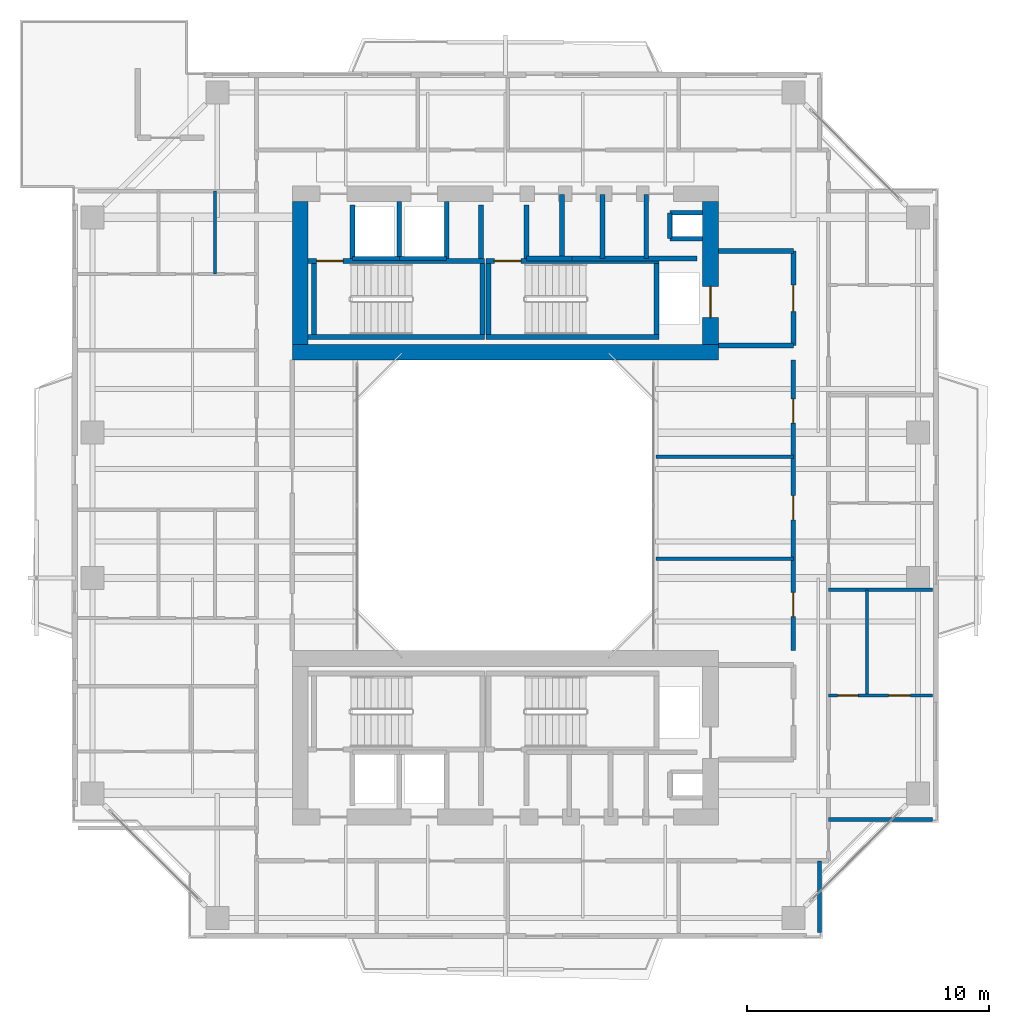
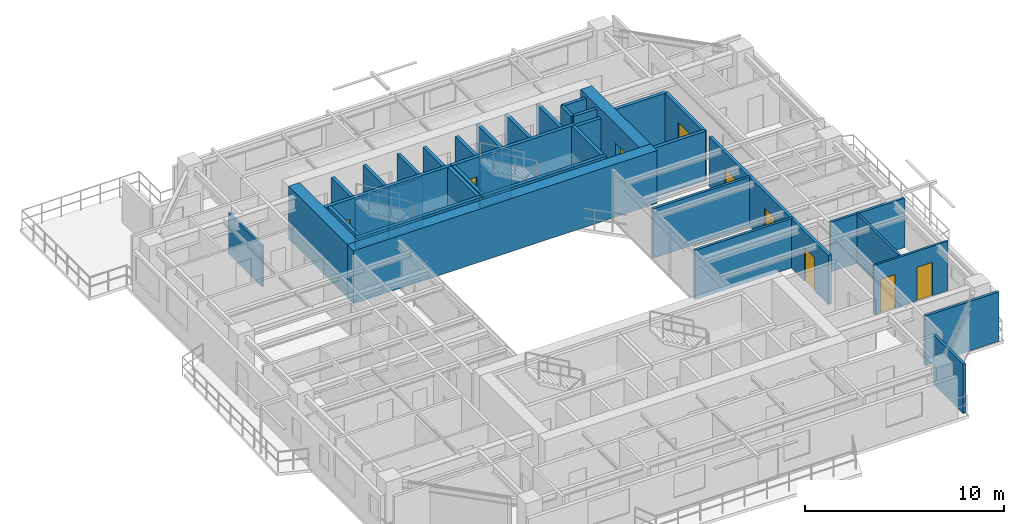
# One storey, part 12 of 18: 38 walls, 9 doors, 9 openings.
"""IFC4 building model written with IfcOpenShell, lengths in metres."""

from ifc_helpers import new_model, si_unit, direction, frame, frame_2d, origin, place, context, subcontext, project, spatial, rectangle, extrude, source, transform, mapped, material, layer, layer_set, type_object, element, fill, save


model = new_model("IFC4")

# Units and contexts
model_context = context("Model", 3, precision=1e-05, world=origin(), true_north=direction((0.0, 1.0)))
body_context = subcontext(model_context, "Body", "Model", "MODEL_VIEW")
ifc_project = project(units=[si_unit("LENGTHUNIT", "METRE"), si_unit("AREAUNIT", "SQUARE_METRE"), si_unit("VOLUMEUNIT", "CUBIC_METRE"), si_unit("PLANEANGLEUNIT", "RADIAN"), si_unit("MASSUNIT", "GRAM", prefix="KILO"), si_unit("THERMODYNAMICTEMPERATUREUNIT", "KELVIN"), si_unit("POWERUNIT", "WATT")], contexts=[model_context])

# Site, building, storey
site_placement = place(None, origin())
site = spatial("IfcSite", under=ifc_project, at=site_placement, CompositionType="ELEMENT")
building_placement = place(site_placement, origin())
building = spatial("IfcBuilding", under=site, at=building_placement, Name="Qiaomeng Ring Towers", CompositionType="ELEMENT")
storey_placement = place(building_placement, frame((0.0, 0.0, 182.75)))
storey = spatial("IfcBuildingStorey", under=building, at=storey_placement, Name="L53", CompositionType="ELEMENT", Elevation=182.75)

# Walls
ifc_material_1 = material(Name="Autoclaved aerated concrete block", Category="concrete")
ifc_layer_1 = layer(ifc_material_1, 0.199951171875, Name="Autoclaved aerated concrete block")
ifc_layer_set_1 = layer_set([ifc_layer_1], Name="Autoclaved aerated concrete block")
wall_type_1 = type_object("IfcWallType", Name="ARC-WL-PW1", PredefinedType="PARTITIONING", material=ifc_layer_set_1)
for number, where, z_axis, x_axis, name in (
    (1, (27.800048828125, 29.60009765625, 0.0), (0.0, 0.0, 1.0), (1.0, 0.0, 0.0), "L53 Interior Wall PW1"),
    (2, (27.800048828125, 33.5, 0.0), (0.0, 0.0, 1.0), (1.0, 0.0, 0.0), "L53 Interior Wall PW1"),
):
    element("IfcWall", number, at=place(storey_placement, frame(where, z_axis=z_axis, x_axis=x_axis)), inside=storey, type_object=wall_type_1, Name=name, PredefinedType="PARTITIONING", context=body_context, shape_type="SweptSolid", body=[
        extrude(rectangle(XDim=3.099853515625, YDim=0.199951171875, at=frame_2d((1.5498046875, 0.0))), origin(), (0.0, 0.0, 1.0), 3.030029296875),
    ])

# Wall, opening, door
wall_1_placement = place(storey_placement, frame((30.89990234375, 29.60009765625, 0.0), z_axis=(0.0, 0.0, 1.0), x_axis=(0.0, 1.0, 0.0)))
wall_1 = element("IfcWall", 3, at=wall_1_placement, inside=storey, type_object=wall_type_1, Name="L53 Interior Wall PW1", PredefinedType="PARTITIONING", context=body_context, shape_type="SweptSolid", body=[
    extrude(rectangle(XDim=3.89990234375, YDim=0.199951171875, at=frame_2d((1.949951171875, 0.0))), origin(), (0.0, 0.0, 1.0), 3.030029296875),
])
opening_1_placement = place(wall_1_placement, frame((1.39990234375, 0.0, 0.0)))
opening_1 = element("IfcOpeningElement", 4, at=opening_1_placement, cuts=wall_1, Name="Opening FD3", PredefinedType="OPENING", context=body_context, shape_type="SweptSolid", body=[
    extrude(rectangle(XDim=1.10009765625, YDim=2.050048828125, at=frame_2d((0.550048828125, 1.02490234375))), frame((0.0, 0.10986328125, 0.0), z_axis=(0.0, -1.0, 0.0), x_axis=(1.0, 0.0, 0.0)), (0.0, 0.0, 1.0), 0.219970703125),
])
ifc_material_2 = material(Name="Galvanised steel", Category="steel")
door_type_1 = type_object("IfcDoorType", Name="ARC-DR-FD3", OperationType="NOTDEFINED", PredefinedType="DOOR", material=ifc_material_2)
shared_shape_1 = source(origin(), body_context, "Body", "SweptSolid", [
    extrude(rectangle(XDim=1.10009765625, YDim=2.050048828125, at=frame_2d((0.550048828125, 1.02490234375))), frame((0.0, 0.02490234375, 0.0), z_axis=(0.0, -1.0, 0.0), x_axis=(1.0, 0.0, 0.0)), (0.0, 0.0, 1.0), 0.050048828125),
])
door_1_placement = place(opening_1_placement, origin())
door_1 = element("IfcDoor", 5, at=door_1_placement, inside=storey, type_object=door_type_1, Name="L53 North FF Lobby Door", OperationType="SINGLE_SWING_LEFT", OverallHeight=2.050048828125, OverallWidth=1.10009765625, PredefinedType="DOOR", context=body_context, shape_type="MappedRepresentation", body=[
    mapped(shared_shape_1, transform((0.0, 0.0, 0.0), x_axis=(1.0, 0.0, 0.0), y_axis=(0.0, 1.0, 0.0), z_axis=(0.0, 0.0, 1.0), scale=1.0)),
])
fill(opening_1, door_1)

# Walls
for number, where, z_axis, x_axis, name in (
    (6, (12.679931640625, 33.18994140625, 0.0), (0.0, 0.0, 1.0), (0.0, 1.0, 0.0), "L53 Interior Wall PW1"),
    (7, (18.0, 33.18994140625, 0.0), (0.0, 0.0, 1.0), (0.0, 1.0, 0.0), "L53 Interior Wall PW1"),
    (8, (19.8798828125, 33.18994140625, 0.0), (0.0, 0.0, 1.0), (0.0, 1.0, 0.0), "L53 Interior Wall PW1"),
):
    element("IfcWall", number, at=place(storey_placement, frame(where, z_axis=z_axis, x_axis=x_axis)), inside=storey, type_object=wall_type_1, Name=name, PredefinedType="PARTITIONING", context=body_context, shape_type="SweptSolid", body=[
        extrude(rectangle(XDim=2.2099609375, YDim=0.199951171875, at=frame_2d((1.10498046875, 0.0))), origin(), (0.0, 0.0, 1.0), 3.030029296875),
    ])
wall_2_placement = place(storey_placement, frame((24.820068359375, 33.199951171875, 0.0), z_axis=(0.0, 0.0, 1.0), x_axis=(0.0, 1.0, 0.0)))
element("IfcWall", 9, at=wall_2_placement, inside=storey, type_object=wall_type_1, Name="L53 Interior Wall PW1", PredefinedType="PARTITIONING", context=body_context, shape_type="SweptSolid", body=[
    extrude(rectangle(XDim=2.650146484375, YDim=0.199951171875, at=frame_2d((1.3251953125, 0.0))), origin(), (0.0, 0.0, 1.0), 3.030029296875),
])
wall_3_placement = place(storey_placement, frame((19.8798828125, 33.199951171875, 0.0), z_axis=(0.0, 0.0, 1.0), x_axis=(1.0, 0.0, 0.0)))
element("IfcWall", 10, at=wall_3_placement, inside=storey, type_object=wall_type_1, Name="L53 Interior Wall PW1", PredefinedType="PARTITIONING", context=body_context, shape_type="SweptSolid", body=[
    extrude(rectangle(XDim=1.8701171875, YDim=0.199951171875, at=frame_2d((0.93505859375, 0.0))), origin(), (0.0, 0.0, 1.0), 3.030029296875),
])
for number, where, z_axis, x_axis, name in (
    (11, (21.340087890625, 33.199951171875, 0.0), (0.0, 0.0, 1.0), (0.0, 1.0, 0.0), "L53 Interior Wall PW1"),
    (12, (23.010009765625, 33.199951171875, 0.0), (0.0, 0.0, 1.0), (0.0, 1.0, 0.0), "L53 Interior Wall PW1"),
):
    element("IfcWall", number, at=place(storey_placement, frame(where, z_axis=z_axis, x_axis=x_axis)), inside=storey, type_object=wall_type_1, Name=name, PredefinedType="PARTITIONING", context=body_context, shape_type="SweptSolid", body=[
        extrude(rectangle(XDim=2.650146484375, YDim=0.199951171875, at=frame_2d((1.3251953125, 0.0))), origin(), (0.0, 0.0, 1.0), 3.030029296875),
    ])
wall_4_placement = place(storey_placement, frame((21.75, 33.199951171875, 0.0), z_axis=(0.0, 0.0, 1.0), x_axis=(1.0, 0.0, 0.0)))
element("IfcWall", 13, at=wall_4_placement, inside=storey, type_object=wall_type_1, Name="L53 Interior Wall PW1", PredefinedType="PARTITIONING", context=body_context, shape_type="SweptSolid", body=[
    extrude(rectangle(XDim=5.169921875, YDim=0.199951171875, at=frame_2d((2.5849609375, 0.0))), origin(), (0.0, 0.0, 1.0), 3.030029296875),
])

# Wall, openings, doors
ifc_layer_2 = layer(ifc_material_1, 0.179931640625, Name="Autoclaved aerated concrete block")
ifc_layer_set_2 = layer_set([ifc_layer_2], Name="Autoclaved aerated concrete block")
wall_type_2 = type_object("IfcWallType", Name="ARC-WL-PW2", PredefinedType="PARTITIONING", material=ifc_layer_set_2)
wall_5_placement = place(storey_placement, frame((30.89990234375, 17.0, 0.0), z_axis=(0.0, 0.0, 1.0), x_axis=(0.0, 1.0, 0.0)))
wall_5 = element("IfcWall", 14, at=wall_5_placement, inside=storey, type_object=wall_type_2, Name="L53 Interior Wall PW2", PredefinedType="PARTITIONING", context=body_context, shape_type="SweptSolid", body=[
    extrude(rectangle(XDim=12.0, YDim=0.179931640625, at=frame_2d((6.0, 0.0))), origin(), (0.0, 0.0, 1.0), 3.030029296875),
])
opening_2_placement = place(wall_5_placement, frame((1.39990234375, 0.0, 0.0)))
opening_2 = element("IfcOpeningElement", 15, at=opening_2_placement, cuts=wall_5, Name="Opening FD4", PredefinedType="OPENING", context=body_context, shape_type="SweptSolid", body=[
    extrude(rectangle(XDim=1.0, YDim=2.050048828125, at=frame_2d((0.5, 1.02490234375))), frame((0.0, 0.099853515625, 0.0), z_axis=(0.0, -1.0, 0.0), x_axis=(1.0, 0.0, 0.0)), (0.0, 0.0, 1.0), 0.199951171875),
])
opening_3_placement = place(wall_5_placement, frame((5.39990234375, 0.0, 0.0)))
opening_3 = element("IfcOpeningElement", 16, at=opening_3_placement, cuts=wall_5, Name="Opening FD4", PredefinedType="OPENING", context=body_context, shape_type="SweptSolid", body=[
    extrude(rectangle(XDim=1.0, YDim=2.050048828125, at=frame_2d((0.5, 1.02490234375))), frame((0.0, 0.099853515625, 0.0), z_axis=(0.0, -1.0, 0.0), x_axis=(1.0, 0.0, 0.0)), (0.0, 0.0, 1.0), 0.199951171875),
])
opening_4_placement = place(wall_5_placement, frame((9.39990234375, 0.0, 0.0)))
opening_4 = element("IfcOpeningElement", 17, at=opening_4_placement, cuts=wall_5, Name="Opening FD4", PredefinedType="OPENING", context=body_context, shape_type="SweptSolid", body=[
    extrude(rectangle(XDim=1.0, YDim=2.050048828125, at=frame_2d((0.5, 1.02490234375))), frame((0.0, 0.099853515625, 0.0), z_axis=(0.0, -1.0, 0.0), x_axis=(1.0, 0.0, 0.0)), (0.0, 0.0, 1.0), 0.199951171875),
])
ifc_material_3 = material(Name="Engineered fire-rated oak timber", Category="wood")
door_type_2 = type_object("IfcDoorType", Name="ARC-DR-FD4", OperationType="NOTDEFINED", PredefinedType="DOOR", material=ifc_material_3)
shared_shape_2 = source(origin(), body_context, "Body", "SweptSolid", [
    extrude(rectangle(XDim=1.0, YDim=2.050048828125, at=frame_2d((0.5, 1.02490234375))), frame((0.0, 0.02490234375, 0.0), z_axis=(0.0, -1.0, 0.0), x_axis=(1.0, 0.0, 0.0)), (0.0, 0.0, 1.0), 0.050048828125),
])
door_2_placement = place(opening_2_placement, origin())
door_2 = element("IfcDoor", 18, at=door_2_placement, inside=storey, type_object=door_type_2, Name="L53 Door FD4", OperationType="SINGLE_SWING_RIGHT", OverallHeight=2.050048828125, OverallWidth=1.0, PredefinedType="DOOR", context=body_context, shape_type="MappedRepresentation", body=[
    mapped(shared_shape_2, transform((0.0, 0.0, 0.0), x_axis=(1.0, 0.0, 0.0), y_axis=(0.0, 1.0, 0.0), z_axis=(0.0, 0.0, 1.0), scale=1.0)),
])
fill(opening_2, door_2)
door_3_placement = place(opening_3_placement, origin())
door_3 = element("IfcDoor", 19, at=door_3_placement, inside=storey, type_object=door_type_2, Name="L53 Door FD4", OperationType="SINGLE_SWING_LEFT", OverallHeight=2.050048828125, OverallWidth=1.0, PredefinedType="DOOR", context=body_context, shape_type="MappedRepresentation", body=[
    mapped(shared_shape_2, transform((0.0, 0.0, 0.0), x_axis=(1.0, 0.0, 0.0), y_axis=(0.0, 1.0, 0.0), z_axis=(0.0, 0.0, 1.0), scale=1.0)),
])
fill(opening_3, door_3)
door_4_placement = place(opening_4_placement, origin())
door_4 = element("IfcDoor", 20, at=door_4_placement, inside=storey, type_object=door_type_2, Name="L53 Door FD4", OperationType="SINGLE_SWING_RIGHT", OverallHeight=2.050048828125, OverallWidth=1.0, PredefinedType="DOOR", context=body_context, shape_type="MappedRepresentation", body=[
    mapped(shared_shape_2, transform((0.0, 0.0, 0.0), x_axis=(1.0, 0.0, 0.0), y_axis=(0.0, 1.0, 0.0), z_axis=(0.0, 0.0, 1.0), scale=1.0)),
])
fill(opening_4, door_4)

# Walls
ifc_material_4 = material(Name="Gypsum fireboard steel-stud partition", Category="steel")
ifc_layer_3 = layer(ifc_material_4, 0.14990234375, Name="Gypsum fireboard steel-stud partition")
ifc_layer_set_3 = layer_set([ifc_layer_3], Name="Gypsum fireboard steel-stud partition")
wall_type_3 = type_object("IfcWallType", Name="ARC-WL-PW3", PredefinedType="PARTITIONING", material=ifc_layer_set_3)
wall_6_placement = place(storey_placement, frame((31.97998046875, 5.35009765625, 0.0), z_axis=(0.0, 0.0, 1.0), x_axis=(0.0, 1.0, 0.0)))
element("IfcWall", 21, at=wall_6_placement, inside=storey, type_object=wall_type_3, Name="L53 Interior Wall PW3", PredefinedType="PARTITIONING", context=body_context, shape_type="SweptSolid", body=[
    extrude(rectangle(XDim=2.9599609375, YDim=0.14990234375, at=frame_2d((1.47998046875, 0.0))), origin(), (0.0, 0.0, 1.0), 3.030029296875),
])
for number, where, z_axis, x_axis, name in (
    (22, (32.35009765625, 10.02001953125, 0.0), (0.0, 0.0, 1.0), (1.0, 0.0, 0.0), "L53 Interior Wall PW3"),
    (23, (32.35009765625, 19.510009765625, 0.0), (0.0, 0.0, 1.0), (1.0, 0.0, 0.0), "L53 Interior Wall PW3"),
):
    element("IfcWall", number, at=place(storey_placement, frame(where, z_axis=z_axis, x_axis=x_axis)), inside=storey, type_object=wall_type_3, Name=name, PredefinedType="PARTITIONING", context=body_context, shape_type="SweptSolid", body=[
        extrude(rectangle(XDim=4.2998046875, YDim=0.14990234375, at=frame_2d((2.14990234375, 0.0))), origin(), (0.0, 0.0, 1.0), 3.030029296875),
    ])
for number, where, z_axis, x_axis, name in (
    (24, (25.219970703125, 20.800048828125, 0.0), (0.0, 0.0, 1.0), (1.0, 0.0, 0.0), "L53 Interior Wall PW3"),
    (25, (25.219970703125, 25.0, 0.0), (0.0, 0.0, 1.0), (1.0, 0.0, 0.0), "L53 Interior Wall PW3"),
):
    element("IfcWall", number, at=place(storey_placement, frame(where, z_axis=z_axis, x_axis=x_axis)), inside=storey, type_object=wall_type_3, Name=name, PredefinedType="PARTITIONING", context=body_context, shape_type="SweptSolid", body=[
        extrude(rectangle(XDim=5.679931640625, YDim=0.14990234375, at=frame_2d((2.83984375, 0.0))), origin(), (0.0, 0.0, 1.0), 3.030029296875),
    ])
ifc_material_5 = material(Name="Moisture-resistant gypsum steel-stud partition", Category="steel")
ifc_layer_4 = layer(ifc_material_5, 0.1201171875, Name="Moisture-resistant gypsum steel-stud partition")
ifc_layer_set_4 = layer_set([ifc_layer_4], Name="Moisture-resistant gypsum steel-stud partition")
wall_type_4 = type_object("IfcWallType", Name="ARC-WL-PW4", PredefinedType="PLUMBINGWALL", material=ifc_layer_set_4)
wall_7_placement = place(storey_placement, frame((7.0, 32.56005859375, 0.0), z_axis=(0.0, 0.0, 1.0), x_axis=(0.0, 1.0, 0.0)))
element("IfcWall", 26, at=wall_7_placement, inside=storey, type_object=wall_type_4, Name="L53 Interior Wall PW4", PredefinedType="PLUMBINGWALL", context=body_context, shape_type="SweptSolid", body=[
    extrude(rectangle(XDim=3.419921875, YDim=0.1201171875, at=frame_2d((1.7099609375, 0.0))), origin(), (0.0, 0.0, 1.0), 2.52490234375),
])

# Wall, openings, doors
wall_8_placement = place(storey_placement, frame((32.35009765625, 15.139892578125, 0.0), z_axis=(0.0, 0.0, 1.0), x_axis=(1.0, 0.0, 0.0)))
wall_8 = element("IfcWall", 27, at=wall_8_placement, inside=storey, type_object=wall_type_4, Name="L53 Interior Wall PW4", PredefinedType="PLUMBINGWALL", context=body_context, shape_type="SweptSolid", body=[
    extrude(rectangle(XDim=4.2998046875, YDim=0.1201171875, at=frame_2d((2.14990234375, 0.0))), origin(), (0.0, 0.0, 1.0), 3.030029296875),
])
opening_5_placement = place(wall_8_placement, frame((0.3798828125, 0.0, 0.0)))
opening_5 = element("IfcOpeningElement", 28, at=opening_5_placement, cuts=wall_8, Name="Opening ID2", PredefinedType="OPENING", context=body_context, shape_type="SweptSolid", body=[
    extrude(rectangle(XDim=0.85009765625, YDim=2.050048828125, at=frame_2d((0.425048828125, 1.02490234375))), frame((0.0, 0.070068359375, 0.0), z_axis=(0.0, -1.0, 0.0), x_axis=(1.0, 0.0, 0.0)), (0.0, 0.0, 1.0), 0.14013671875),
])
opening_6_placement = place(wall_8_placement, frame((2.485107421875, 0.0, 0.0)))
opening_6 = element("IfcOpeningElement", 29, at=opening_6_placement, cuts=wall_8, Name="Opening ID1", PredefinedType="OPENING", context=body_context, shape_type="SweptSolid", body=[
    extrude(rectangle(XDim=0.89990234375, YDim=2.050048828125, at=frame_2d((0.449951171875, 1.02490234375))), frame((0.0, 0.070068359375, 0.0), z_axis=(0.0, -1.0, 0.0), x_axis=(1.0, 0.0, 0.0)), (0.0, 0.0, 1.0), 0.14013671875),
])
ifc_material_6 = material(Name="Moisture-resistant engineered timber", Category="wood")
door_type_3 = type_object("IfcDoorType", Name="ARC-DR-ID2", OperationType="NOTDEFINED", PredefinedType="DOOR", material=ifc_material_6)
shared_shape_3 = source(origin(), body_context, "Body", "SweptSolid", [
    extrude(rectangle(XDim=0.85009765625, YDim=2.050048828125, at=frame_2d((0.425048828125, 1.02490234375))), frame((0.0, 0.02490234375, 0.0), z_axis=(0.0, -1.0, 0.0), x_axis=(1.0, 0.0, 0.0)), (0.0, 0.0, 1.0), 0.050048828125),
])
door_5_placement = place(opening_5_placement, origin())
door_5 = element("IfcDoor", 30, at=door_5_placement, inside=storey, type_object=door_type_3, Name="L53 Door ID2", OperationType="SINGLE_SWING_LEFT", OverallHeight=2.050048828125, OverallWidth=0.85009765625, PredefinedType="DOOR", context=body_context, shape_type="MappedRepresentation", body=[
    mapped(shared_shape_3, transform((0.0, 0.0, 0.0), x_axis=(1.0, 0.0, 0.0), y_axis=(0.0, 1.0, 0.0), z_axis=(0.0, 0.0, 1.0), scale=1.0)),
])
fill(opening_5, door_5)
ifc_material_7 = material(Name="Engineered oak timber", Category="wood")
door_type_4 = type_object("IfcDoorType", Name="ARC-DR-ID1", OperationType="NOTDEFINED", PredefinedType="DOOR", material=ifc_material_7)
shared_shape_4 = source(origin(), body_context, "Body", "SweptSolid", [
    extrude(rectangle(XDim=0.89990234375, YDim=2.050048828125, at=frame_2d((0.449951171875, 1.02490234375))), frame((0.0, 0.02490234375, 0.0), z_axis=(0.0, -1.0, 0.0), x_axis=(1.0, 0.0, 0.0)), (0.0, 0.0, 1.0), 0.050048828125),
])
door_6_placement = place(opening_6_placement, origin())
door_6 = element("IfcDoor", 31, at=door_6_placement, inside=storey, type_object=door_type_4, Name="L53 Door ID1", OperationType="SINGLE_SWING_RIGHT", OverallHeight=2.050048828125, OverallWidth=0.89990234375, PredefinedType="DOOR", context=body_context, shape_type="MappedRepresentation", body=[
    mapped(shared_shape_4, transform((0.0, 0.0, 0.0), x_axis=(1.0, 0.0, 0.0), y_axis=(0.0, 1.0, 0.0), z_axis=(0.0, 0.0, 1.0), scale=1.0)),
])
fill(opening_6, door_6)

# Walls
wall_9_placement = place(storey_placement, frame((33.93994140625, 15.139892578125, 0.0), z_axis=(0.0, 0.0, 1.0), x_axis=(0.0, 1.0, 0.0)))
element("IfcWall", 32, at=wall_9_placement, inside=storey, type_object=wall_type_4, Name="L53 Interior Wall PW4", PredefinedType="PLUMBINGWALL", context=body_context, shape_type="SweptSolid", body=[
    extrude(rectangle(XDim=4.3701171875, YDim=0.1201171875, at=frame_2d((2.18505859375, 0.0))), origin(), (0.0, 0.0, 1.0), 3.030029296875),
])
ifc_material_8 = material(Name="Concrete C40", Category="concrete")
ifc_layer_5 = layer(ifc_material_8, 0.199951171875, Name="Concrete C40")
ifc_layer_set_5 = layer_set([ifc_layer_5], Name="Concrete C40")
wall_type_5 = type_object("IfcWallType", Name="STR-WL-STSHAFT", PredefinedType="SHEAR", material=ifc_layer_set_5)
wall_10_placement = place(storey_placement, frame((12.679931640625, 33.199951171875, 0.0), z_axis=(0.0, 0.0, 1.0), x_axis=(1.0, 0.0, 0.0)))
element("IfcWall", 33, at=wall_10_placement, inside=storey, type_object=wall_type_5, Name="L53 Lift LP5 Shaft Back Wall", PredefinedType="SHEAR", context=body_context, shape_type="SweptSolid", body=[
    extrude(rectangle(XDim=1.940185546875, YDim=0.179931640625, at=frame_2d((0.97021484375, 0.0))), origin(), (0.0, 0.0, 1.0), 3.030029296875),
])
wall_11_placement = place(storey_placement, frame((14.6201171875, 33.199951171875, 0.0), z_axis=(0.0, 0.0, 1.0), x_axis=(0.0, 1.0, 0.0)))
element("IfcWall", 34, at=wall_11_placement, inside=storey, type_object=wall_type_5, Name="L53 Lift LP5-LP3 Shaft Divider Wall", PredefinedType="SHEAR", context=body_context, shape_type="SweptSolid", body=[
    extrude(rectangle(XDim=2.35009765625, YDim=0.179931640625, at=frame_2d((1.175048828125, 0.0))), origin(), (0.0, 0.0, 1.0), 3.030029296875),
])
wall_12_placement = place(storey_placement, frame((25.800048828125, 34.02001953125, 0.0), z_axis=(0.0, 0.0, 1.0), x_axis=(0.0, 1.0, 0.0)))
element("IfcWall", 35, at=wall_12_placement, inside=storey, type_object=wall_type_5, Name="L53 Riser RSR1 West Shaft Wall N", PredefinedType="SHEAR", context=body_context, shape_type="SweptSolid", body=[
    extrude(rectangle(XDim=1.06005859375, YDim=0.179931640625, at=frame_2d((0.530029296875, 0.0))), origin(), (0.0, 0.0, 1.0), 3.030029296875),
])
for number, where, z_axis, x_axis, name in (
    (36, (25.800048828125, 35.080078125, 0.0), (0.0, 0.0, 1.0), (1.0, 0.0, 0.0), "L53 Riser RSR1 North Shaft Wall N"),
    (37, (25.800048828125, 34.02001953125, 0.0), (0.0, 0.0, 1.0), (1.0, 0.0, 0.0), "L53 Riser RSR1 South Shaft Wall N"),
):
    element("IfcWall", number, at=place(storey_placement, frame(where, z_axis=z_axis, x_axis=x_axis)), inside=storey, type_object=wall_type_5, Name=name, PredefinedType="SHEAR", context=body_context, shape_type="SweptSolid", body=[
        extrude(rectangle(XDim=1.349853515625, YDim=0.179931640625, at=frame_2d((0.6748046875, 0.0))), origin(), (0.0, 0.0, 1.0), 3.030029296875),
    ])
wall_13_placement = place(storey_placement, frame((14.6201171875, 33.199951171875, 0.0), z_axis=(0.0, 0.0, 1.0), x_axis=(1.0, 0.0, 0.0)))
element("IfcWall", 38, at=wall_13_placement, inside=storey, type_object=wall_type_5, Name="L53 Lift LP3 Shaft Back Wall", PredefinedType="SHEAR", context=body_context, shape_type="SweptSolid", body=[
    extrude(rectangle(XDim=1.9599609375, YDim=0.179931640625, at=frame_2d((0.97998046875, 0.0))), origin(), (0.0, 0.0, 1.0), 3.030029296875),
])
wall_14_placement = place(storey_placement, frame((16.580078125, 33.199951171875, 0.0), z_axis=(0.0, 0.0, 1.0), x_axis=(0.0, 1.0, 0.0)))
element("IfcWall", 39, at=wall_14_placement, inside=storey, type_object=wall_type_5, Name="L53 Lift LP3 East Shaft Wall", PredefinedType="SHEAR", context=body_context, shape_type="SweptSolid", body=[
    extrude(rectangle(XDim=2.35009765625, YDim=0.179931640625, at=frame_2d((1.175048828125, 0.0))), origin(), (0.0, 0.0, 1.0), 3.030029296875),
])
wall_15_placement = place(storey_placement, frame((10.85009765625, 29.949951171875, 0.0), z_axis=(0.0, 0.0, 1.0), x_axis=(1.0, 0.0, 0.0)))
element("IfcWall", 40, at=wall_15_placement, inside=storey, type_object=wall_type_5, Name="L53 Stair ST1 South Shaft Shear Wall", PredefinedType="SHEAR", context=body_context, shape_type="SweptSolid", body=[
    extrude(rectangle(XDim=7.2998046875, YDim=0.199951171875, at=frame_2d((3.64990234375, 0.0))), origin(), (0.0, 0.0, 1.0), 3.25),
])

# Wall, opening, door
wall_16_placement = place(storey_placement, frame((10.85009765625, 33.090087890625, 0.0), z_axis=(0.0, 0.0, 1.0), x_axis=(1.0, 0.0, 0.0)))
wall_16 = element("IfcWall", 41, at=wall_16_placement, inside=storey, type_object=wall_type_5, Name="L53 Stair ST1 North Shaft Shear Wall", PredefinedType="SHEAR", context=body_context, shape_type="SweptSolid", body=[
    extrude(rectangle(XDim=7.2998046875, YDim=0.199951171875, at=frame_2d((3.64990234375, 0.0))), origin(), (0.0, 0.0, 1.0), 3.25),
])
opening_7_placement = place(wall_16_placement, frame((0.35009765625, 0.0, 0.0)))
opening_7 = element("IfcOpeningElement", 42, at=opening_7_placement, cuts=wall_16, Name="Opening FD3", PredefinedType="OPENING", context=body_context, shape_type="SweptSolid", body=[
    extrude(rectangle(XDim=1.10009765625, YDim=2.050048828125, at=frame_2d((0.550048828125, 1.02490234375))), frame((0.0, 0.10986328125, 0.0), z_axis=(0.0, -1.0, 0.0), x_axis=(1.0, 0.0, 0.0)), (0.0, 0.0, 1.0), 0.219970703125),
])
door_7_placement = place(opening_7_placement, origin())
door_7 = element("IfcDoor", 43, at=door_7_placement, inside=storey, type_object=door_type_1, Name="L53 Stair ST1 Exit Door", OperationType="SINGLE_SWING_RIGHT", OverallHeight=2.050048828125, OverallWidth=1.10009765625, PredefinedType="DOOR", context=body_context, shape_type="MappedRepresentation", body=[
    mapped(shared_shape_1, transform((0.0, 0.0, 0.0), x_axis=(1.0, 0.0, 0.0), y_axis=(0.0, 1.0, 0.0), z_axis=(0.0, 0.0, 1.0), scale=1.0)),
])
fill(opening_7, door_7)

# Walls
for number, where, z_axis, x_axis, name in (
    (44, (11.10009765625, 30.050048828125, 0.0), (0.0, 0.0, 1.0), (0.0, 1.0, 0.0), "L53 Stair ST1 West Shaft Shear Wall"),
    (45, (18.050048828125, 30.050048828125, 0.0), (0.0, 0.0, 1.0), (0.0, 1.0, 0.0), "L53 Stair ST1 East Shaft Shear Wall"),
):
    element("IfcWall", number, at=place(storey_placement, frame(where, z_axis=z_axis, x_axis=x_axis)), inside=storey, type_object=wall_type_5, Name=name, PredefinedType="SHEAR", context=body_context, shape_type="SweptSolid", body=[
        extrude(rectangle(XDim=2.93994140625, YDim=0.199951171875, at=frame_2d((1.469970703125, 0.0))), origin(), (0.0, 0.0, 1.0), 3.25),
    ])
wall_17_placement = place(storey_placement, frame((18.199951171875, 29.949951171875, 0.0), z_axis=(0.0, 0.0, 1.0), x_axis=(1.0, 0.0, 0.0)))
element("IfcWall", 46, at=wall_17_placement, inside=storey, type_object=wall_type_5, Name="L53 Stair ST2 South Shaft Shear Wall", PredefinedType="SHEAR", context=body_context, shape_type="SweptSolid", body=[
    extrude(rectangle(XDim=7.150146484375, YDim=0.199951171875, at=frame_2d((3.5751953125, 0.0))), origin(), (0.0, 0.0, 1.0), 3.25),
])

# Wall, opening, door
wall_18_placement = place(storey_placement, frame((18.199951171875, 33.090087890625, 0.0), z_axis=(0.0, 0.0, 1.0), x_axis=(1.0, 0.0, 0.0)))
wall_18 = element("IfcWall", 47, at=wall_18_placement, inside=storey, type_object=wall_type_5, Name="L53 Stair ST2 North Shaft Shear Wall", PredefinedType="SHEAR", context=body_context, shape_type="SweptSolid", body=[
    extrude(rectangle(XDim=7.150146484375, YDim=0.199951171875, at=frame_2d((3.5751953125, 0.0))), origin(), (0.0, 0.0, 1.0), 3.25),
])
opening_8_placement = place(wall_18_placement, frame((0.35009765625, 0.0, 0.0)))
opening_8 = element("IfcOpeningElement", 48, at=opening_8_placement, cuts=wall_18, Name="Opening FD3", PredefinedType="OPENING", context=body_context, shape_type="SweptSolid", body=[
    extrude(rectangle(XDim=1.10009765625, YDim=2.050048828125, at=frame_2d((0.550048828125, 1.02490234375))), frame((0.0, 0.10986328125, 0.0), z_axis=(0.0, -1.0, 0.0), x_axis=(1.0, 0.0, 0.0)), (0.0, 0.0, 1.0), 0.219970703125),
])
door_8_placement = place(opening_8_placement, origin())
door_8 = element("IfcDoor", 49, at=door_8_placement, inside=storey, type_object=door_type_1, Name="L53 Stair ST2 Exit Door", OperationType="SINGLE_SWING_RIGHT", OverallHeight=2.050048828125, OverallWidth=1.10009765625, PredefinedType="DOOR", context=body_context, shape_type="MappedRepresentation", body=[
    mapped(shared_shape_1, transform((0.0, 0.0, 0.0), x_axis=(1.0, 0.0, 0.0), y_axis=(0.0, 1.0, 0.0), z_axis=(0.0, 0.0, 1.0), scale=1.0)),
])
fill(opening_8, door_8)

# Walls
for number, where, z_axis, x_axis, name in (
    (50, (18.300048828125, 30.050048828125, 0.0), (0.0, 0.0, 1.0), (0.0, 1.0, 0.0), "L53 Stair ST2 West Shaft Shear Wall"),
    (51, (25.25, 30.050048828125, 0.0), (0.0, 0.0, 1.0), (0.0, 1.0, 0.0), "L53 Stair ST2 East Shaft Shear Wall"),
):
    element("IfcWall", number, at=place(storey_placement, frame(where, z_axis=z_axis, x_axis=x_axis)), inside=storey, type_object=wall_type_5, Name=name, PredefinedType="SHEAR", context=body_context, shape_type="SweptSolid", body=[
        extrude(rectangle(XDim=2.93994140625, YDim=0.199951171875, at=frame_2d((1.469970703125, 0.0))), origin(), (0.0, 0.0, 1.0), 3.25),
    ])
ifc_material_9 = material(Name="Concrete C50", Category="concrete")
ifc_layer_6 = layer(ifc_material_9, 0.64990234375, Name="Concrete C50")
ifc_layer_set_6 = layer_set([ifc_layer_6], Name="Concrete C50")
wall_type_6 = type_object("IfcWallType", Name="STR-WL-SW2B", PredefinedType="SHEAR", material=ifc_layer_set_6)
wall_19_placement = place(storey_placement, frame((10.199951171875, 29.324951171875, 0.0), z_axis=(0.0, 0.0, 1.0), x_axis=(1.0, 0.0, 0.0)))
element("IfcWall", 52, at=wall_19_placement, inside=storey, type_object=wall_type_6, Name="L53 T1NC south core shear wall", PredefinedType="SHEAR", context=body_context, shape_type="SweptSolid", body=[
    extrude(rectangle(XDim=17.60009765625, YDim=0.64990234375, at=frame_2d((8.800048828125, 0.0))), origin(), (0.0, 0.0, 1.0), 3.25),
])
wall_20_placement = place(storey_placement, frame((10.52490234375, 29.64990234375, 0.0), z_axis=(0.0, 0.0, 1.0), x_axis=(0.0, 1.0, 0.0)))
element("IfcWall", 53, at=wall_20_placement, inside=storey, type_object=wall_type_6, Name="L53 T1NC west core shear wall", PredefinedType="SHEAR", context=body_context, shape_type="SweptSolid", body=[
    extrude(rectangle(XDim=5.900146484375, YDim=0.64990234375, at=frame_2d((2.9501953125, 0.0))), origin(), (0.0, 0.0, 1.0), 3.25),
])

# Wall, opening, door
wall_21_placement = place(storey_placement, frame((27.47509765625, 29.64990234375, 0.0), z_axis=(0.0, 0.0, 1.0), x_axis=(0.0, 1.0, 0.0)))
wall_21 = element("IfcWall", 54, at=wall_21_placement, inside=storey, type_object=wall_type_6, Name="L53 T1NC east core shear wall", PredefinedType="SHEAR", context=body_context, shape_type="SweptSolid", body=[
    extrude(rectangle(XDim=5.900146484375, YDim=0.64990234375, at=frame_2d((2.9501953125, 0.0))), origin(), (0.0, 0.0, 1.0), 3.25),
])
opening_9_placement = place(wall_21_placement, frame((1.10009765625, 0.0, 0.0)))
opening_9 = element("IfcOpeningElement", 55, at=opening_9_placement, cuts=wall_21, Name="Opening LD2", PredefinedType="OPENING", context=body_context, shape_type="SweptSolid", body=[
    extrude(rectangle(XDim=1.300048828125, YDim=2.050048828125, at=frame_2d((0.64990234375, 1.02490234375))), frame((0.0, 0.3349609375, 0.0), z_axis=(0.0, -1.0, 0.0), x_axis=(1.0, 0.0, 0.0)), (0.0, 0.0, 1.0), 0.669921875),
])
ifc_material_10 = material(Name="Stainless steel 316", Category="steel")
door_type_5 = type_object("IfcDoorType", Name="ARC-DR-LD2", OperationType="NOTDEFINED", PredefinedType="DOOR", material=ifc_material_10)
shared_shape_5 = source(origin(), body_context, "Body", "SweptSolid", [
    extrude(rectangle(XDim=1.300048828125, YDim=2.050048828125, at=frame_2d((0.64990234375, 1.02490234375))), frame((0.0, 0.02490234375, 0.0), z_axis=(0.0, -1.0, 0.0), x_axis=(1.0, 0.0, 0.0)), (0.0, 0.0, 1.0), 0.050048828125),
])
door_9_placement = place(opening_9_placement, origin())
door_9 = element("IfcDoor", 56, at=door_9_placement, inside=storey, type_object=door_type_5, Name="L53 Firefighting Lift FL1 Landing Door", OperationType="SLIDING_TO_LEFT", OverallHeight=2.050048828125, OverallWidth=1.300048828125, PredefinedType="DOOR", context=body_context, shape_type="MappedRepresentation", body=[
    mapped(shared_shape_5, transform((0.0, 0.0, 0.0), x_axis=(1.0, 0.0, 0.0), y_axis=(0.0, 1.0, 0.0), z_axis=(0.0, 0.0, 1.0), scale=1.0)),
])
fill(opening_9, door_9)

save(model, "model.ifc")
